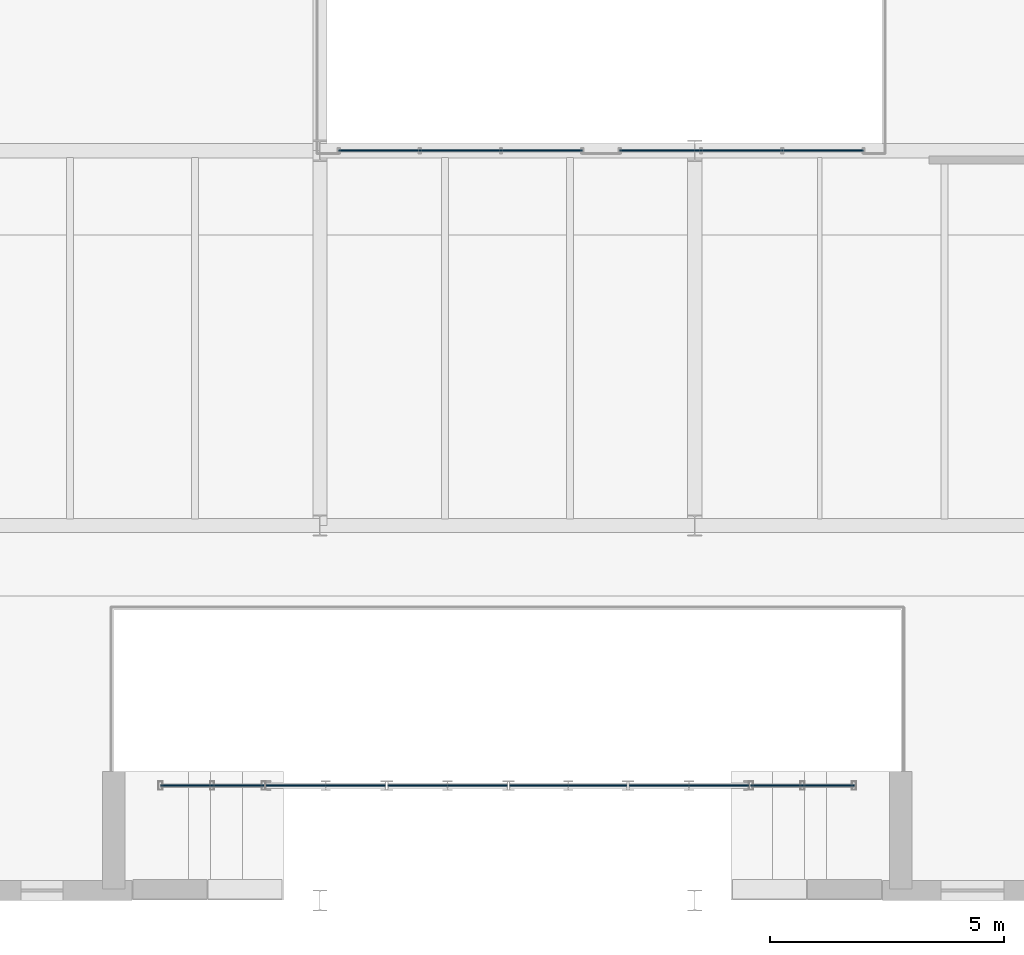
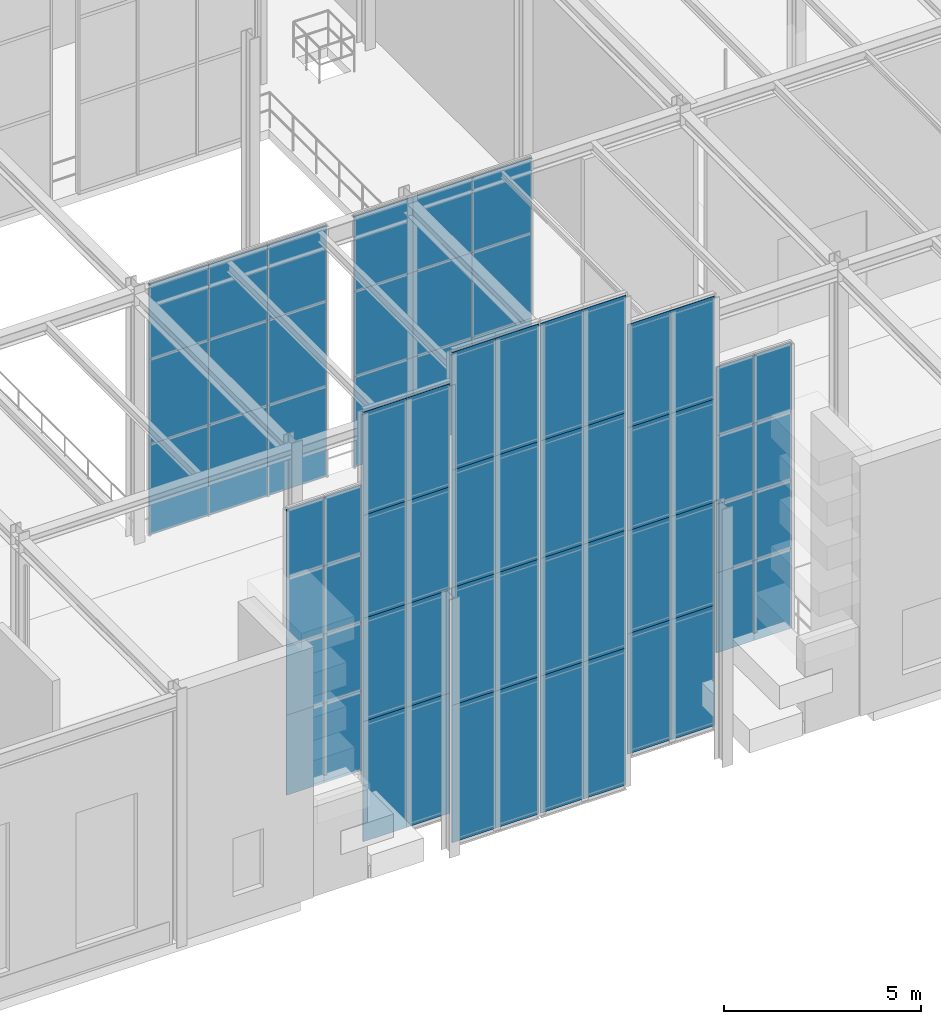
# One storey, part 79 of 138: 66 plates, 8 elements without a shape of their own.
"""IFC4 building model written with IfcOpenShell, lengths in metres."""

from ifc_helpers import new_model, si_unit, direction, frame, origin, origin_2d, place, context, subcontext, project, spatial, rectangle, extrude, material, layer, layer_set, type_object, element, aggregate, save


model = new_model("IFC4")

# Units and contexts
model_context = context("Model", 3, precision=1e-05, world=origin(), true_north=direction((0.0, 1.0)))
body_context = subcontext(model_context, "Body", "Model", "MODEL_VIEW")
ifc_project = project(units=[si_unit("LENGTHUNIT", "METRE"), si_unit("AREAUNIT", "SQUARE_METRE"), si_unit("VOLUMEUNIT", "CUBIC_METRE"), si_unit("PLANEANGLEUNIT", "RADIAN"), si_unit("MASSUNIT", "GRAM", prefix="KILO")], contexts=[model_context])

# Site, building, storey
site_placement = place(None, origin())
site = spatial("IfcSite", under=ifc_project, at=site_placement, CompositionType="ELEMENT")
building_placement = place(site_placement, origin())
building = spatial("IfcBuilding", under=site, at=building_placement, Name="Sundkrona Museum", CompositionType="ELEMENT")
storey_placement = place(building_placement, frame((0.0, 0.0, 9.60009765625)))
storey = spatial("IfcBuildingStorey", under=building, at=storey_placement, Name="L02", CompositionType="ELEMENT", Elevation=9.60009765625)

# Curtain wall, plates
ifc_material_1 = material(Name="Unitised Aluminium-Steel and Ceramic-Clad Curtain Walling", Category="steel")
curtain_wall_type_1 = type_object("IfcCurtainWallType", Name="CW-SC-52x74", PredefinedType="NOTDEFINED", material=ifc_material_1)
curtain_wall_1_placement = place(storey_placement, origin())
curtain_wall_1 = element("IfcCurtainWall", 1, at=curtain_wall_1_placement, inside=storey, type_object=curtain_wall_type_1, Name="L02 Curtain Wall CW-L02-005", PredefinedType="NOTDEFINED")
ifc_material_2 = material(Name="Triple Low-E Vision Glazing 32 mm", Category="glass")
ifc_layer_1 = layer(ifc_material_2, 0.031982421875)
ifc_layer_set_1 = layer_set([ifc_layer_1], Name="Triple Low-E Vision Glazing 32 mm")
plate_type_1 = type_object("IfcPlateType", Name="PN-GL-01", PredefinedType="CURTAIN_PANEL", material=ifc_layer_set_1)
plate_1_placement = place(storey_placement, frame((137.2666015625, 16.0, -0.00390625), z_axis=(0.0, 0.0, 1.0), x_axis=(1.0, 0.0, 0.0)))
plate_1 = element("IfcPlate", 2, at=plate_1_placement, type_object=plate_type_1, Name="CW-L02-005 Panel 01", PredefinedType="CURTAIN_PANEL", context=body_context, shape_type="SweptSolid", body=[
    extrude(rectangle(XDim=1.7333984375, YDim=0.031982421875, at=origin_2d()), origin(), (0.0, 0.0, 1.0), 2.798095703125),
])
plate_2_placement = place(storey_placement, frame((137.2666015625, 16.0, 2.7939453125), z_axis=(0.0, 0.0, 1.0), x_axis=(1.0, 0.0, 0.0)))
plate_2 = element("IfcPlate", 3, at=plate_2_placement, type_object=plate_type_1, Name="CW-L02-005 Panel 02", PredefinedType="CURTAIN_PANEL", context=body_context, shape_type="SweptSolid", body=[
    extrude(rectangle(XDim=1.7333984375, YDim=0.031982421875, at=origin_2d()), origin(), (0.0, 0.0, 1.0), 2.637939453125),
])
plate_3_placement = place(storey_placement, frame((137.2666015625, 16.0, 5.431884765625), z_axis=(0.0, 0.0, 1.0), x_axis=(1.0, 0.0, 0.0)))
plate_3 = element("IfcPlate", 4, at=plate_3_placement, type_object=plate_type_1, Name="CW-L02-005 Panel 03", PredefinedType="CURTAIN_PANEL", context=body_context, shape_type="SweptSolid", body=[
    extrude(rectangle(XDim=1.7333984375, YDim=0.031982421875, at=origin_2d()), origin(), (0.0, 0.0, 1.0), 2.33203125),
])
plate_4_placement = place(storey_placement, frame((139.0, 16.0, -0.00390625), z_axis=(0.0, 0.0, 1.0), x_axis=(1.0, 0.0, 0.0)))
plate_4 = element("IfcPlate", 5, at=plate_4_placement, type_object=plate_type_1, Name="CW-L02-005 Panel 04", PredefinedType="CURTAIN_PANEL", context=body_context, shape_type="SweptSolid", body=[
    extrude(rectangle(XDim=1.7333984375, YDim=0.031982421875, at=origin_2d()), origin(), (0.0, 0.0, 1.0), 2.798095703125),
])
plate_5_placement = place(storey_placement, frame((139.0, 16.0, 2.7939453125), z_axis=(0.0, 0.0, 1.0), x_axis=(1.0, 0.0, 0.0)))
plate_5 = element("IfcPlate", 6, at=plate_5_placement, type_object=plate_type_1, Name="CW-L02-005 Panel 05", PredefinedType="CURTAIN_PANEL", context=body_context, shape_type="SweptSolid", body=[
    extrude(rectangle(XDim=1.7333984375, YDim=0.031982421875, at=origin_2d()), origin(), (0.0, 0.0, 1.0), 2.637939453125),
])
plate_6_placement = place(storey_placement, frame((139.0, 16.0, 5.431884765625), z_axis=(0.0, 0.0, 1.0), x_axis=(1.0, 0.0, 0.0)))
plate_6 = element("IfcPlate", 7, at=plate_6_placement, type_object=plate_type_1, Name="CW-L02-005 Panel 06", PredefinedType="CURTAIN_PANEL", context=body_context, shape_type="SweptSolid", body=[
    extrude(rectangle(XDim=1.7333984375, YDim=0.031982421875, at=origin_2d()), origin(), (0.0, 0.0, 1.0), 2.33203125),
])
plate_7_placement = place(storey_placement, frame((140.7333984375, 16.0, -0.00390625), z_axis=(0.0, 0.0, 1.0), x_axis=(1.0, 0.0, 0.0)))
plate_7 = element("IfcPlate", 8, at=plate_7_placement, type_object=plate_type_1, Name="CW-L02-005 Panel 07", PredefinedType="CURTAIN_PANEL", context=body_context, shape_type="SweptSolid", body=[
    extrude(rectangle(XDim=1.7333984375, YDim=0.031982421875, at=origin_2d()), origin(), (0.0, 0.0, 1.0), 2.798095703125),
])
plate_8_placement = place(storey_placement, frame((140.7333984375, 16.0, 2.7939453125), z_axis=(0.0, 0.0, 1.0), x_axis=(1.0, 0.0, 0.0)))
plate_8 = element("IfcPlate", 9, at=plate_8_placement, type_object=plate_type_1, Name="CW-L02-005 Panel 08", PredefinedType="CURTAIN_PANEL", context=body_context, shape_type="SweptSolid", body=[
    extrude(rectangle(XDim=1.7333984375, YDim=0.031982421875, at=origin_2d()), origin(), (0.0, 0.0, 1.0), 2.637939453125),
])
plate_9_placement = place(storey_placement, frame((140.7333984375, 16.0, 5.431884765625), z_axis=(0.0, 0.0, 1.0), x_axis=(1.0, 0.0, 0.0)))
plate_9 = element("IfcPlate", 10, at=plate_9_placement, type_object=plate_type_1, Name="CW-L02-005 Panel 09", PredefinedType="CURTAIN_PANEL", context=body_context, shape_type="SweptSolid", body=[
    extrude(rectangle(XDim=1.7333984375, YDim=0.031982421875, at=origin_2d()), origin(), (0.0, 0.0, 1.0), 2.33203125),
])
aggregate(curtain_wall_1, [plate_1, plate_2, plate_3, plate_4, plate_5, plate_6, plate_7, plate_8, plate_9])

curtain_wall_2_placement = place(storey_placement, origin())
curtain_wall_2 = element("IfcCurtainWall", 11, at=curtain_wall_2_placement, inside=storey, type_object=curtain_wall_type_1, Name="L02 Curtain Wall CW-L02-007", PredefinedType="NOTDEFINED")
plate_10_placement = place(storey_placement, frame((143.2666015625, 16.0, -0.00390625), z_axis=(0.0, 0.0, 1.0), x_axis=(1.0, 0.0, 0.0)))
plate_10 = element("IfcPlate", 12, at=plate_10_placement, type_object=plate_type_1, Name="CW-L02-007 Panel 01", PredefinedType="CURTAIN_PANEL", context=body_context, shape_type="SweptSolid", body=[
    extrude(rectangle(XDim=1.7333984375, YDim=0.031982421875, at=origin_2d()), origin(), (0.0, 0.0, 1.0), 2.798095703125),
])
plate_11_placement = place(storey_placement, frame((143.2666015625, 16.0, 2.7939453125), z_axis=(0.0, 0.0, 1.0), x_axis=(1.0, 0.0, 0.0)))
plate_11 = element("IfcPlate", 13, at=plate_11_placement, type_object=plate_type_1, Name="CW-L02-007 Panel 02", PredefinedType="CURTAIN_PANEL", context=body_context, shape_type="SweptSolid", body=[
    extrude(rectangle(XDim=1.7333984375, YDim=0.031982421875, at=origin_2d()), origin(), (0.0, 0.0, 1.0), 2.637939453125),
])
plate_12_placement = place(storey_placement, frame((143.2666015625, 16.0, 5.431884765625), z_axis=(0.0, 0.0, 1.0), x_axis=(1.0, 0.0, 0.0)))
plate_12 = element("IfcPlate", 14, at=plate_12_placement, type_object=plate_type_1, Name="CW-L02-007 Panel 03", PredefinedType="CURTAIN_PANEL", context=body_context, shape_type="SweptSolid", body=[
    extrude(rectangle(XDim=1.7333984375, YDim=0.031982421875, at=origin_2d()), origin(), (0.0, 0.0, 1.0), 2.33203125),
])
plate_13_placement = place(storey_placement, frame((145.0, 16.0, -0.00390625), z_axis=(0.0, 0.0, 1.0), x_axis=(1.0, 0.0, 0.0)))
plate_13 = element("IfcPlate", 15, at=plate_13_placement, type_object=plate_type_1, Name="CW-L02-007 Panel 04", PredefinedType="CURTAIN_PANEL", context=body_context, shape_type="SweptSolid", body=[
    extrude(rectangle(XDim=1.7333984375, YDim=0.031982421875, at=origin_2d()), origin(), (0.0, 0.0, 1.0), 2.798095703125),
])
plate_14_placement = place(storey_placement, frame((145.0, 16.0, 2.7939453125), z_axis=(0.0, 0.0, 1.0), x_axis=(1.0, 0.0, 0.0)))
plate_14 = element("IfcPlate", 16, at=plate_14_placement, type_object=plate_type_1, Name="CW-L02-007 Panel 05", PredefinedType="CURTAIN_PANEL", context=body_context, shape_type="SweptSolid", body=[
    extrude(rectangle(XDim=1.7333984375, YDim=0.031982421875, at=origin_2d()), origin(), (0.0, 0.0, 1.0), 2.637939453125),
])
plate_15_placement = place(storey_placement, frame((145.0, 16.0, 5.431884765625), z_axis=(0.0, 0.0, 1.0), x_axis=(1.0, 0.0, 0.0)))
plate_15 = element("IfcPlate", 17, at=plate_15_placement, type_object=plate_type_1, Name="CW-L02-007 Panel 06", PredefinedType="CURTAIN_PANEL", context=body_context, shape_type="SweptSolid", body=[
    extrude(rectangle(XDim=1.7333984375, YDim=0.031982421875, at=origin_2d()), origin(), (0.0, 0.0, 1.0), 2.33203125),
])
plate_16_placement = place(storey_placement, frame((146.7333984375, 16.0, -0.00390625), z_axis=(0.0, 0.0, 1.0), x_axis=(1.0, 0.0, 0.0)))
plate_16 = element("IfcPlate", 18, at=plate_16_placement, type_object=plate_type_1, Name="CW-L02-007 Panel 07", PredefinedType="CURTAIN_PANEL", context=body_context, shape_type="SweptSolid", body=[
    extrude(rectangle(XDim=1.7333984375, YDim=0.031982421875, at=origin_2d()), origin(), (0.0, 0.0, 1.0), 2.798095703125),
])
plate_17_placement = place(storey_placement, frame((146.7333984375, 16.0, 2.7939453125), z_axis=(0.0, 0.0, 1.0), x_axis=(1.0, 0.0, 0.0)))
plate_17 = element("IfcPlate", 19, at=plate_17_placement, type_object=plate_type_1, Name="CW-L02-007 Panel 08", PredefinedType="CURTAIN_PANEL", context=body_context, shape_type="SweptSolid", body=[
    extrude(rectangle(XDim=1.7333984375, YDim=0.031982421875, at=origin_2d()), origin(), (0.0, 0.0, 1.0), 2.637939453125),
])
plate_18_placement = place(storey_placement, frame((146.7333984375, 16.0, 5.431884765625), z_axis=(0.0, 0.0, 1.0), x_axis=(1.0, 0.0, 0.0)))
plate_18 = element("IfcPlate", 20, at=plate_18_placement, type_object=plate_type_1, Name="CW-L02-007 Panel 09", PredefinedType="CURTAIN_PANEL", context=body_context, shape_type="SweptSolid", body=[
    extrude(rectangle(XDim=1.7333984375, YDim=0.031982421875, at=origin_2d()), origin(), (0.0, 0.0, 1.0), 2.33203125),
])
aggregate(curtain_wall_2, [plate_10, plate_11, plate_12, plate_13, plate_14, plate_15, plate_16, plate_17, plate_18])

curtain_wall_type_2 = type_object("IfcCurtainWallType", Name="CW-OC-96x34", PredefinedType="NOTDEFINED", material=ifc_material_1)
curtain_wall_3_placement = place(storey_placement, origin())
curtain_wall_3 = element("IfcCurtainWall", 21, at=curtain_wall_3_placement, inside=storey, type_object=curtain_wall_type_2, Name="South Avenue Giant Round Window Glazing Strip 01", PredefinedType="NOTDEFINED")
ifc_material_3 = material(Name="Oculus Laminated Acoustic Glazing 32 mm", Category="glass")
ifc_layer_2 = layer(ifc_material_3, 0.031982421875)
ifc_layer_set_2 = layer_set([ifc_layer_2], Name="Oculus Laminated Acoustic Glazing 32 mm")
plate_type_2 = type_object("IfcPlateType", Name="PN-GL-03", PredefinedType="CURTAIN_PANEL", material=ifc_layer_set_2)
plate_19_placement = place(storey_placement, frame((133.14990234375, 2.449951171875, 1.472900390625), z_axis=(0.0, 0.0, 1.0), x_axis=(1.0, 0.0, 0.0)))
plate_19 = element("IfcPlate", 22, at=plate_19_placement, type_object=plate_type_2, Name="CW-OC-RND-01 Panel 01", PredefinedType="CURTAIN_PANEL", context=body_context, shape_type="SweptSolid", body=[
    extrude(rectangle(XDim=1.10009765625, YDim=0.031982421875, at=origin_2d()), origin(), (0.0, 0.0, 1.0), 2.47900390625),
])
plate_20_placement = place(storey_placement, frame((133.14990234375, 2.449951171875, 3.951904296875), z_axis=(0.0, 0.0, 1.0), x_axis=(1.0, 0.0, 0.0)))
plate_20 = element("IfcPlate", 23, at=plate_20_placement, type_object=plate_type_2, Name="CW-OC-RND-01 Panel 02", PredefinedType="CURTAIN_PANEL", context=body_context, shape_type="SweptSolid", body=[
    extrude(rectangle(XDim=1.10009765625, YDim=0.031982421875, at=origin_2d()), origin(), (0.0, 0.0, 1.0), 2.125),
])
plate_21_placement = place(storey_placement, frame((133.14990234375, 2.449951171875, 6.076904296875), z_axis=(0.0, 0.0, 1.0), x_axis=(1.0, 0.0, 0.0)))
plate_21 = element("IfcPlate", 24, at=plate_21_placement, type_object=plate_type_2, Name="CW-OC-RND-01 Panel 03", PredefinedType="CURTAIN_PANEL", context=body_context, shape_type="SweptSolid", body=[
    extrude(rectangle(XDim=1.10009765625, YDim=0.031982421875, at=origin_2d()), origin(), (0.0, 0.0, 1.0), 2.125),
])
plate_22_placement = place(storey_placement, frame((133.14990234375, 2.449951171875, 8.201904296875), z_axis=(0.0, 0.0, 1.0), x_axis=(1.0, 0.0, 0.0)))
plate_22 = element("IfcPlate", 25, at=plate_22_placement, type_object=plate_type_2, Name="CW-OC-RND-01 Panel 04", PredefinedType="CURTAIN_PANEL", context=body_context, shape_type="SweptSolid", body=[
    extrude(rectangle(XDim=1.10009765625, YDim=0.031982421875, at=origin_2d()), origin(), (0.0, 0.0, 1.0), 2.125),
])
plate_23_placement = place(storey_placement, frame((134.25, 2.449951171875, 1.472900390625), z_axis=(0.0, 0.0, 1.0), x_axis=(1.0, 0.0, 0.0)))
plate_23 = element("IfcPlate", 26, at=plate_23_placement, type_object=plate_type_2, Name="CW-OC-RND-01 Panel 05", PredefinedType="CURTAIN_PANEL", context=body_context, shape_type="SweptSolid", body=[
    extrude(rectangle(XDim=1.10009765625, YDim=0.031982421875, at=origin_2d()), origin(), (0.0, 0.0, 1.0), 2.47900390625),
])
plate_24_placement = place(storey_placement, frame((134.25, 2.449951171875, 3.951904296875), z_axis=(0.0, 0.0, 1.0), x_axis=(1.0, 0.0, 0.0)))
plate_24 = element("IfcPlate", 27, at=plate_24_placement, type_object=plate_type_2, Name="CW-OC-RND-01 Panel 06", PredefinedType="CURTAIN_PANEL", context=body_context, shape_type="SweptSolid", body=[
    extrude(rectangle(XDim=1.10009765625, YDim=0.031982421875, at=origin_2d()), origin(), (0.0, 0.0, 1.0), 2.125),
])
plate_25_placement = place(storey_placement, frame((134.25, 2.449951171875, 6.076904296875), z_axis=(0.0, 0.0, 1.0), x_axis=(1.0, 0.0, 0.0)))
plate_25 = element("IfcPlate", 28, at=plate_25_placement, type_object=plate_type_2, Name="CW-OC-RND-01 Panel 07", PredefinedType="CURTAIN_PANEL", context=body_context, shape_type="SweptSolid", body=[
    extrude(rectangle(XDim=1.10009765625, YDim=0.031982421875, at=origin_2d()), origin(), (0.0, 0.0, 1.0), 2.125),
])
plate_26_placement = place(storey_placement, frame((134.25, 2.449951171875, 8.201904296875), z_axis=(0.0, 0.0, 1.0), x_axis=(1.0, 0.0, 0.0)))
plate_26 = element("IfcPlate", 29, at=plate_26_placement, type_object=plate_type_2, Name="CW-OC-RND-01 Panel 08", PredefinedType="CURTAIN_PANEL", context=body_context, shape_type="SweptSolid", body=[
    extrude(rectangle(XDim=1.10009765625, YDim=0.031982421875, at=origin_2d()), origin(), (0.0, 0.0, 1.0), 2.125),
])
aggregate(curtain_wall_3, [plate_19, plate_20, plate_21, plate_22, plate_23, plate_24, plate_25, plate_26])

curtain_wall_type_3 = type_object("IfcCurtainWallType", Name="CW-OC-74x72", PredefinedType="NOTDEFINED", material=ifc_material_1)
curtain_wall_4_placement = place(storey_placement, origin())
curtain_wall_4 = element("IfcCurtainWall", 30, at=curtain_wall_4_placement, inside=storey, type_object=curtain_wall_type_3, Name="South Avenue Giant Round Window Glazing Strip 02", PredefinedType="NOTDEFINED")
plate_27_placement = place(storey_placement, frame((135.487548828125, 2.449951171875, -0.754150390625), z_axis=(0.0, 0.0, 1.0), x_axis=(1.0, 0.0, 0.0)))
plate_27 = element("IfcPlate", 31, at=plate_27_placement, type_object=plate_type_2, Name="CW-OC-RND-02 Panel 01", PredefinedType="CURTAIN_PANEL", context=body_context, shape_type="SweptSolid", body=[
    extrude(rectangle(XDim=1.27490234375, YDim=0.031982421875, at=origin_2d()), origin(), (0.0, 0.0, 1.0), 3.72607421875),
])
plate_28_placement = place(storey_placement, frame((135.487548828125, 2.449951171875, 2.9716796875), z_axis=(0.0, 0.0, 1.0), x_axis=(1.0, 0.0, 0.0)))
plate_28 = element("IfcPlate", 32, at=plate_28_placement, type_object=plate_type_2, Name="CW-OC-RND-02 Panel 02", PredefinedType="CURTAIN_PANEL", context=body_context, shape_type="SweptSolid", body=[
    extrude(rectangle(XDim=1.27490234375, YDim=0.031982421875, at=origin_2d()), origin(), (0.0, 0.0, 1.0), 3.194091796875),
])
plate_29_placement = place(storey_placement, frame((135.487548828125, 2.449951171875, 6.166015625), z_axis=(0.0, 0.0, 1.0), x_axis=(1.0, 0.0, 0.0)))
plate_29 = element("IfcPlate", 33, at=plate_29_placement, type_object=plate_type_2, Name="CW-OC-RND-02 Panel 03", PredefinedType="CURTAIN_PANEL", context=body_context, shape_type="SweptSolid", body=[
    extrude(rectangle(XDim=1.27490234375, YDim=0.031982421875, at=origin_2d()), origin(), (0.0, 0.0, 1.0), 3.194091796875),
])
plate_30_placement = place(storey_placement, frame((135.487548828125, 2.449951171875, 9.35986328125), z_axis=(0.0, 0.0, 1.0), x_axis=(1.0, 0.0, 0.0)))
plate_30 = element("IfcPlate", 34, at=plate_30_placement, type_object=plate_type_2, Name="CW-OC-RND-02 Panel 04", PredefinedType="CURTAIN_PANEL", context=body_context, shape_type="SweptSolid", body=[
    extrude(rectangle(XDim=1.27490234375, YDim=0.031982421875, at=origin_2d()), origin(), (0.0, 0.0, 1.0), 3.194091796875),
])
plate_31_placement = place(storey_placement, frame((136.762451171875, 2.449951171875, -0.754150390625), z_axis=(0.0, 0.0, 1.0), x_axis=(1.0, 0.0, 0.0)))
plate_31 = element("IfcPlate", 35, at=plate_31_placement, type_object=plate_type_2, Name="CW-OC-RND-02 Panel 05", PredefinedType="CURTAIN_PANEL", context=body_context, shape_type="SweptSolid", body=[
    extrude(rectangle(XDim=1.27490234375, YDim=0.031982421875, at=origin_2d()), origin(), (0.0, 0.0, 1.0), 3.72607421875),
])
plate_32_placement = place(storey_placement, frame((136.762451171875, 2.449951171875, 2.9716796875), z_axis=(0.0, 0.0, 1.0), x_axis=(1.0, 0.0, 0.0)))
plate_32 = element("IfcPlate", 36, at=plate_32_placement, type_object=plate_type_2, Name="CW-OC-RND-02 Panel 06", PredefinedType="CURTAIN_PANEL", context=body_context, shape_type="SweptSolid", body=[
    extrude(rectangle(XDim=1.27490234375, YDim=0.031982421875, at=origin_2d()), origin(), (0.0, 0.0, 1.0), 3.194091796875),
])
plate_33_placement = place(storey_placement, frame((136.762451171875, 2.449951171875, 6.166015625), z_axis=(0.0, 0.0, 1.0), x_axis=(1.0, 0.0, 0.0)))
plate_33 = element("IfcPlate", 37, at=plate_33_placement, type_object=plate_type_2, Name="CW-OC-RND-02 Panel 07", PredefinedType="CURTAIN_PANEL", context=body_context, shape_type="SweptSolid", body=[
    extrude(rectangle(XDim=1.27490234375, YDim=0.031982421875, at=origin_2d()), origin(), (0.0, 0.0, 1.0), 3.194091796875),
])
plate_34_placement = place(storey_placement, frame((136.762451171875, 2.449951171875, 9.35986328125), z_axis=(0.0, 0.0, 1.0), x_axis=(1.0, 0.0, 0.0)))
plate_34 = element("IfcPlate", 38, at=plate_34_placement, type_object=plate_type_2, Name="CW-OC-RND-02 Panel 08", PredefinedType="CURTAIN_PANEL", context=body_context, shape_type="SweptSolid", body=[
    extrude(rectangle(XDim=1.27490234375, YDim=0.031982421875, at=origin_2d()), origin(), (0.0, 0.0, 1.0), 3.194091796875),
])
aggregate(curtain_wall_4, [plate_27, plate_28, plate_29, plate_30, plate_31, plate_32, plate_33, plate_34])

curtain_wall_5_placement = place(storey_placement, origin())
curtain_wall_5 = element("IfcCurtainWall", 39, at=curtain_wall_5_placement, inside=storey, type_object=curtain_wall_type_3, Name="South Avenue Giant Round Window Glazing Strip 03", PredefinedType="NOTDEFINED")
plate_35_placement = place(storey_placement, frame((138.08740234375, 2.449951171875, -1.694091796875), z_axis=(0.0, 0.0, 1.0), x_axis=(1.0, 0.0, 0.0)))
plate_35 = element("IfcPlate", 40, at=plate_35_placement, type_object=plate_type_2, Name="CW-OC-RND-03 Panel 01", PredefinedType="CURTAIN_PANEL", context=body_context, shape_type="SweptSolid", body=[
    extrude(rectangle(XDim=1.27490234375, YDim=0.031982421875, at=origin_2d()), origin(), (0.0, 0.0, 1.0), 4.2529296875),
])
plate_36_placement = place(storey_placement, frame((138.08740234375, 2.449951171875, 2.558837890625), z_axis=(0.0, 0.0, 1.0), x_axis=(1.0, 0.0, 0.0)))
plate_36 = element("IfcPlate", 41, at=plate_36_placement, type_object=plate_type_2, Name="CW-OC-RND-03 Panel 02", PredefinedType="CURTAIN_PANEL", context=body_context, shape_type="SweptSolid", body=[
    extrude(rectangle(XDim=1.27490234375, YDim=0.031982421875, at=origin_2d()), origin(), (0.0, 0.0, 1.0), 3.64501953125),
])
plate_37_placement = place(storey_placement, frame((138.08740234375, 2.449951171875, 6.203857421875), z_axis=(0.0, 0.0, 1.0), x_axis=(1.0, 0.0, 0.0)))
plate_37 = element("IfcPlate", 42, at=plate_37_placement, type_object=plate_type_2, Name="CW-OC-RND-03 Panel 03", PredefinedType="CURTAIN_PANEL", context=body_context, shape_type="SweptSolid", body=[
    extrude(rectangle(XDim=1.27490234375, YDim=0.031982421875, at=origin_2d()), origin(), (0.0, 0.0, 1.0), 3.64501953125),
])
plate_38_placement = place(storey_placement, frame((138.08740234375, 2.449951171875, 9.848876953125), z_axis=(0.0, 0.0, 1.0), x_axis=(1.0, 0.0, 0.0)))
plate_38 = element("IfcPlate", 43, at=plate_38_placement, type_object=plate_type_2, Name="CW-OC-RND-03 Panel 04", PredefinedType="CURTAIN_PANEL", context=body_context, shape_type="SweptSolid", body=[
    extrude(rectangle(XDim=1.27490234375, YDim=0.031982421875, at=origin_2d()), origin(), (0.0, 0.0, 1.0), 3.64501953125),
])
plate_39_placement = place(storey_placement, frame((139.362548828125, 2.449951171875, -1.694091796875), z_axis=(0.0, 0.0, 1.0), x_axis=(1.0, 0.0, 0.0)))
plate_39 = element("IfcPlate", 44, at=plate_39_placement, type_object=plate_type_2, Name="CW-OC-RND-03 Panel 05", PredefinedType="CURTAIN_PANEL", context=body_context, shape_type="SweptSolid", body=[
    extrude(rectangle(XDim=1.27490234375, YDim=0.031982421875, at=origin_2d()), origin(), (0.0, 0.0, 1.0), 4.2529296875),
])
plate_40_placement = place(storey_placement, frame((139.362548828125, 2.449951171875, 2.558837890625), z_axis=(0.0, 0.0, 1.0), x_axis=(1.0, 0.0, 0.0)))
plate_40 = element("IfcPlate", 45, at=plate_40_placement, type_object=plate_type_2, Name="CW-OC-RND-03 Panel 06", PredefinedType="CURTAIN_PANEL", context=body_context, shape_type="SweptSolid", body=[
    extrude(rectangle(XDim=1.27490234375, YDim=0.031982421875, at=origin_2d()), origin(), (0.0, 0.0, 1.0), 3.64501953125),
])
plate_41_placement = place(storey_placement, frame((139.362548828125, 2.449951171875, 6.203857421875), z_axis=(0.0, 0.0, 1.0), x_axis=(1.0, 0.0, 0.0)))
plate_41 = element("IfcPlate", 46, at=plate_41_placement, type_object=plate_type_2, Name="CW-OC-RND-03 Panel 07", PredefinedType="CURTAIN_PANEL", context=body_context, shape_type="SweptSolid", body=[
    extrude(rectangle(XDim=1.27490234375, YDim=0.031982421875, at=origin_2d()), origin(), (0.0, 0.0, 1.0), 3.64501953125),
])
plate_42_placement = place(storey_placement, frame((139.362548828125, 2.449951171875, 9.848876953125), z_axis=(0.0, 0.0, 1.0), x_axis=(1.0, 0.0, 0.0)))
plate_42 = element("IfcPlate", 47, at=plate_42_placement, type_object=plate_type_2, Name="CW-OC-RND-03 Panel 08", PredefinedType="CURTAIN_PANEL", context=body_context, shape_type="SweptSolid", body=[
    extrude(rectangle(XDim=1.27490234375, YDim=0.031982421875, at=origin_2d()), origin(), (0.0, 0.0, 1.0), 3.64501953125),
])
aggregate(curtain_wall_5, [plate_35, plate_36, plate_37, plate_38, plate_39, plate_40, plate_41, plate_42])

curtain_wall_6_placement = place(storey_placement, origin())
curtain_wall_6 = element("IfcCurtainWall", 48, at=curtain_wall_6_placement, inside=storey, type_object=curtain_wall_type_3, Name="South Avenue Giant Round Window Glazing Strip 04", PredefinedType="NOTDEFINED")
plate_43_placement = place(storey_placement, frame((140.675048828125, 2.449951171875, -1.689208984375), z_axis=(0.0, 0.0, 1.0), x_axis=(1.0, 0.0, 0.0)))
plate_43 = element("IfcPlate", 49, at=plate_43_placement, type_object=plate_type_2, Name="CW-OC-RND-04 Panel 01", PredefinedType="CURTAIN_PANEL", context=body_context, shape_type="SweptSolid", body=[
    extrude(rectangle(XDim=1.25, YDim=0.031982421875, at=origin_2d()), origin(), (0.0, 0.0, 1.0), 4.25),
])
plate_44_placement = place(storey_placement, frame((140.675048828125, 2.449951171875, 2.560791015625), z_axis=(0.0, 0.0, 1.0), x_axis=(1.0, 0.0, 0.0)))
plate_44 = element("IfcPlate", 50, at=plate_44_placement, type_object=plate_type_2, Name="CW-OC-RND-04 Panel 02", PredefinedType="CURTAIN_PANEL", context=body_context, shape_type="SweptSolid", body=[
    extrude(rectangle(XDim=1.25, YDim=0.031982421875, at=origin_2d()), origin(), (0.0, 0.0, 1.0), 3.64306640625),
])
plate_45_placement = place(storey_placement, frame((140.675048828125, 2.449951171875, 6.203857421875), z_axis=(0.0, 0.0, 1.0), x_axis=(1.0, 0.0, 0.0)))
plate_45 = element("IfcPlate", 51, at=plate_45_placement, type_object=plate_type_2, Name="CW-OC-RND-04 Panel 03", PredefinedType="CURTAIN_PANEL", context=body_context, shape_type="SweptSolid", body=[
    extrude(rectangle(XDim=1.25, YDim=0.031982421875, at=origin_2d()), origin(), (0.0, 0.0, 1.0), 3.64208984375),
])
plate_46_placement = place(storey_placement, frame((140.675048828125, 2.449951171875, 9.845947265625), z_axis=(0.0, 0.0, 1.0), x_axis=(1.0, 0.0, 0.0)))
plate_46 = element("IfcPlate", 52, at=plate_46_placement, type_object=plate_type_2, Name="CW-OC-RND-04 Panel 04", PredefinedType="CURTAIN_PANEL", context=body_context, shape_type="SweptSolid", body=[
    extrude(rectangle(XDim=1.25, YDim=0.031982421875, at=origin_2d()), origin(), (0.0, 0.0, 1.0), 3.64306640625),
])
plate_47_placement = place(storey_placement, frame((141.925048828125, 2.449951171875, -1.689208984375), z_axis=(0.0, 0.0, 1.0), x_axis=(1.0, 0.0, 0.0)))
plate_47 = element("IfcPlate", 53, at=plate_47_placement, type_object=plate_type_2, Name="CW-OC-RND-04 Panel 05", PredefinedType="CURTAIN_PANEL", context=body_context, shape_type="SweptSolid", body=[
    extrude(rectangle(XDim=1.25, YDim=0.031982421875, at=origin_2d()), origin(), (0.0, 0.0, 1.0), 4.25),
])
plate_48_placement = place(storey_placement, frame((141.925048828125, 2.449951171875, 2.560791015625), z_axis=(0.0, 0.0, 1.0), x_axis=(1.0, 0.0, 0.0)))
plate_48 = element("IfcPlate", 54, at=plate_48_placement, type_object=plate_type_2, Name="CW-OC-RND-04 Panel 06", PredefinedType="CURTAIN_PANEL", context=body_context, shape_type="SweptSolid", body=[
    extrude(rectangle(XDim=1.25, YDim=0.031982421875, at=origin_2d()), origin(), (0.0, 0.0, 1.0), 3.64306640625),
])
plate_49_placement = place(storey_placement, frame((141.925048828125, 2.449951171875, 6.203857421875), z_axis=(0.0, 0.0, 1.0), x_axis=(1.0, 0.0, 0.0)))
plate_49 = element("IfcPlate", 55, at=plate_49_placement, type_object=plate_type_2, Name="CW-OC-RND-04 Panel 07", PredefinedType="CURTAIN_PANEL", context=body_context, shape_type="SweptSolid", body=[
    extrude(rectangle(XDim=1.25, YDim=0.031982421875, at=origin_2d()), origin(), (0.0, 0.0, 1.0), 3.64208984375),
])
plate_50_placement = place(storey_placement, frame((141.925048828125, 2.449951171875, 9.845947265625), z_axis=(0.0, 0.0, 1.0), x_axis=(1.0, 0.0, 0.0)))
plate_50 = element("IfcPlate", 56, at=plate_50_placement, type_object=plate_type_2, Name="CW-OC-RND-04 Panel 08", PredefinedType="CURTAIN_PANEL", context=body_context, shape_type="SweptSolid", body=[
    extrude(rectangle(XDim=1.25, YDim=0.031982421875, at=origin_2d()), origin(), (0.0, 0.0, 1.0), 3.64306640625),
])
aggregate(curtain_wall_6, [plate_43, plate_44, plate_45, plate_46, plate_47, plate_48, plate_49, plate_50])

curtain_wall_7_placement = place(storey_placement, origin())
curtain_wall_7 = element("IfcCurtainWall", 57, at=curtain_wall_7_placement, inside=storey, type_object=curtain_wall_type_3, Name="South Avenue Giant Round Window Glazing Strip 05", PredefinedType="NOTDEFINED")
plate_51_placement = place(storey_placement, frame((143.237548828125, 2.449951171875, -0.754150390625), z_axis=(0.0, 0.0, 1.0), x_axis=(1.0, 0.0, 0.0)))
plate_51 = element("IfcPlate", 58, at=plate_51_placement, type_object=plate_type_2, Name="CW-OC-RND-05 Panel 01", PredefinedType="CURTAIN_PANEL", context=body_context, shape_type="SweptSolid", body=[
    extrude(rectangle(XDim=1.27490234375, YDim=0.031982421875, at=origin_2d()), origin(), (0.0, 0.0, 1.0), 3.72607421875),
])
plate_52_placement = place(storey_placement, frame((143.237548828125, 2.449951171875, 2.9716796875), z_axis=(0.0, 0.0, 1.0), x_axis=(1.0, 0.0, 0.0)))
plate_52 = element("IfcPlate", 59, at=plate_52_placement, type_object=plate_type_2, Name="CW-OC-RND-05 Panel 02", PredefinedType="CURTAIN_PANEL", context=body_context, shape_type="SweptSolid", body=[
    extrude(rectangle(XDim=1.27490234375, YDim=0.031982421875, at=origin_2d()), origin(), (0.0, 0.0, 1.0), 3.194091796875),
])
plate_53_placement = place(storey_placement, frame((143.237548828125, 2.449951171875, 6.166015625), z_axis=(0.0, 0.0, 1.0), x_axis=(1.0, 0.0, 0.0)))
plate_53 = element("IfcPlate", 60, at=plate_53_placement, type_object=plate_type_2, Name="CW-OC-RND-05 Panel 03", PredefinedType="CURTAIN_PANEL", context=body_context, shape_type="SweptSolid", body=[
    extrude(rectangle(XDim=1.27490234375, YDim=0.031982421875, at=origin_2d()), origin(), (0.0, 0.0, 1.0), 3.194091796875),
])
plate_54_placement = place(storey_placement, frame((143.237548828125, 2.449951171875, 9.35986328125), z_axis=(0.0, 0.0, 1.0), x_axis=(1.0, 0.0, 0.0)))
plate_54 = element("IfcPlate", 61, at=plate_54_placement, type_object=plate_type_2, Name="CW-OC-RND-05 Panel 04", PredefinedType="CURTAIN_PANEL", context=body_context, shape_type="SweptSolid", body=[
    extrude(rectangle(XDim=1.27490234375, YDim=0.031982421875, at=origin_2d()), origin(), (0.0, 0.0, 1.0), 3.194091796875),
])
plate_55_placement = place(storey_placement, frame((144.512451171875, 2.449951171875, -0.754150390625), z_axis=(0.0, 0.0, 1.0), x_axis=(1.0, 0.0, 0.0)))
plate_55 = element("IfcPlate", 62, at=plate_55_placement, type_object=plate_type_2, Name="CW-OC-RND-05 Panel 05", PredefinedType="CURTAIN_PANEL", context=body_context, shape_type="SweptSolid", body=[
    extrude(rectangle(XDim=1.27490234375, YDim=0.031982421875, at=origin_2d()), origin(), (0.0, 0.0, 1.0), 3.72607421875),
])
plate_56_placement = place(storey_placement, frame((144.512451171875, 2.449951171875, 2.9716796875), z_axis=(0.0, 0.0, 1.0), x_axis=(1.0, 0.0, 0.0)))
plate_56 = element("IfcPlate", 63, at=plate_56_placement, type_object=plate_type_2, Name="CW-OC-RND-05 Panel 06", PredefinedType="CURTAIN_PANEL", context=body_context, shape_type="SweptSolid", body=[
    extrude(rectangle(XDim=1.27490234375, YDim=0.031982421875, at=origin_2d()), origin(), (0.0, 0.0, 1.0), 3.194091796875),
])
plate_57_placement = place(storey_placement, frame((144.512451171875, 2.449951171875, 6.166015625), z_axis=(0.0, 0.0, 1.0), x_axis=(1.0, 0.0, 0.0)))
plate_57 = element("IfcPlate", 64, at=plate_57_placement, type_object=plate_type_2, Name="CW-OC-RND-05 Panel 07", PredefinedType="CURTAIN_PANEL", context=body_context, shape_type="SweptSolid", body=[
    extrude(rectangle(XDim=1.27490234375, YDim=0.031982421875, at=origin_2d()), origin(), (0.0, 0.0, 1.0), 3.194091796875),
])
plate_58_placement = place(storey_placement, frame((144.512451171875, 2.449951171875, 9.35986328125), z_axis=(0.0, 0.0, 1.0), x_axis=(1.0, 0.0, 0.0)))
plate_58 = element("IfcPlate", 65, at=plate_58_placement, type_object=plate_type_2, Name="CW-OC-RND-05 Panel 08", PredefinedType="CURTAIN_PANEL", context=body_context, shape_type="SweptSolid", body=[
    extrude(rectangle(XDim=1.27490234375, YDim=0.031982421875, at=origin_2d()), origin(), (0.0, 0.0, 1.0), 3.194091796875),
])
aggregate(curtain_wall_7, [plate_51, plate_52, plate_53, plate_54, plate_55, plate_56, plate_57, plate_58])

curtain_wall_8_placement = place(storey_placement, origin())
curtain_wall_8 = element("IfcCurtainWall", 66, at=curtain_wall_8_placement, inside=storey, type_object=curtain_wall_type_2, Name="South Avenue Giant Round Window Glazing Strip 06", PredefinedType="NOTDEFINED")
plate_59_placement = place(storey_placement, frame((145.75, 2.449951171875, 1.472900390625), z_axis=(0.0, 0.0, 1.0), x_axis=(1.0, 0.0, 0.0)))
plate_59 = element("IfcPlate", 67, at=plate_59_placement, type_object=plate_type_2, Name="CW-OC-RND-06 Panel 01", PredefinedType="CURTAIN_PANEL", context=body_context, shape_type="SweptSolid", body=[
    extrude(rectangle(XDim=1.10009765625, YDim=0.031982421875, at=origin_2d()), origin(), (0.0, 0.0, 1.0), 2.47900390625),
])
plate_60_placement = place(storey_placement, frame((145.75, 2.449951171875, 3.951904296875), z_axis=(0.0, 0.0, 1.0), x_axis=(1.0, 0.0, 0.0)))
plate_60 = element("IfcPlate", 68, at=plate_60_placement, type_object=plate_type_2, Name="CW-OC-RND-06 Panel 02", PredefinedType="CURTAIN_PANEL", context=body_context, shape_type="SweptSolid", body=[
    extrude(rectangle(XDim=1.10009765625, YDim=0.031982421875, at=origin_2d()), origin(), (0.0, 0.0, 1.0), 2.125),
])
plate_61_placement = place(storey_placement, frame((145.75, 2.449951171875, 6.076904296875), z_axis=(0.0, 0.0, 1.0), x_axis=(1.0, 0.0, 0.0)))
plate_61 = element("IfcPlate", 69, at=plate_61_placement, type_object=plate_type_2, Name="CW-OC-RND-06 Panel 03", PredefinedType="CURTAIN_PANEL", context=body_context, shape_type="SweptSolid", body=[
    extrude(rectangle(XDim=1.10009765625, YDim=0.031982421875, at=origin_2d()), origin(), (0.0, 0.0, 1.0), 2.125),
])
plate_62_placement = place(storey_placement, frame((145.75, 2.449951171875, 8.201904296875), z_axis=(0.0, 0.0, 1.0), x_axis=(1.0, 0.0, 0.0)))
plate_62 = element("IfcPlate", 70, at=plate_62_placement, type_object=plate_type_2, Name="CW-OC-RND-06 Panel 04", PredefinedType="CURTAIN_PANEL", context=body_context, shape_type="SweptSolid", body=[
    extrude(rectangle(XDim=1.10009765625, YDim=0.031982421875, at=origin_2d()), origin(), (0.0, 0.0, 1.0), 2.125),
])
plate_63_placement = place(storey_placement, frame((146.85009765625, 2.449951171875, 1.472900390625), z_axis=(0.0, 0.0, 1.0), x_axis=(1.0, 0.0, 0.0)))
plate_63 = element("IfcPlate", 71, at=plate_63_placement, type_object=plate_type_2, Name="CW-OC-RND-06 Panel 05", PredefinedType="CURTAIN_PANEL", context=body_context, shape_type="SweptSolid", body=[
    extrude(rectangle(XDim=1.10009765625, YDim=0.031982421875, at=origin_2d()), origin(), (0.0, 0.0, 1.0), 2.47900390625),
])
plate_64_placement = place(storey_placement, frame((146.85009765625, 2.449951171875, 3.951904296875), z_axis=(0.0, 0.0, 1.0), x_axis=(1.0, 0.0, 0.0)))
plate_64 = element("IfcPlate", 72, at=plate_64_placement, type_object=plate_type_2, Name="CW-OC-RND-06 Panel 06", PredefinedType="CURTAIN_PANEL", context=body_context, shape_type="SweptSolid", body=[
    extrude(rectangle(XDim=1.10009765625, YDim=0.031982421875, at=origin_2d()), origin(), (0.0, 0.0, 1.0), 2.125),
])
plate_65_placement = place(storey_placement, frame((146.85009765625, 2.449951171875, 6.076904296875), z_axis=(0.0, 0.0, 1.0), x_axis=(1.0, 0.0, 0.0)))
plate_65 = element("IfcPlate", 73, at=plate_65_placement, type_object=plate_type_2, Name="CW-OC-RND-06 Panel 07", PredefinedType="CURTAIN_PANEL", context=body_context, shape_type="SweptSolid", body=[
    extrude(rectangle(XDim=1.10009765625, YDim=0.031982421875, at=origin_2d()), origin(), (0.0, 0.0, 1.0), 2.125),
])
plate_66_placement = place(storey_placement, frame((146.85009765625, 2.449951171875, 8.201904296875), z_axis=(0.0, 0.0, 1.0), x_axis=(1.0, 0.0, 0.0)))
plate_66 = element("IfcPlate", 74, at=plate_66_placement, type_object=plate_type_2, Name="CW-OC-RND-06 Panel 08", PredefinedType="CURTAIN_PANEL", context=body_context, shape_type="SweptSolid", body=[
    extrude(rectangle(XDim=1.10009765625, YDim=0.031982421875, at=origin_2d()), origin(), (0.0, 0.0, 1.0), 2.125),
])
aggregate(curtain_wall_8, [plate_59, plate_60, plate_61, plate_62, plate_63, plate_64, plate_65, plate_66])

save(model, "model.ifc")
